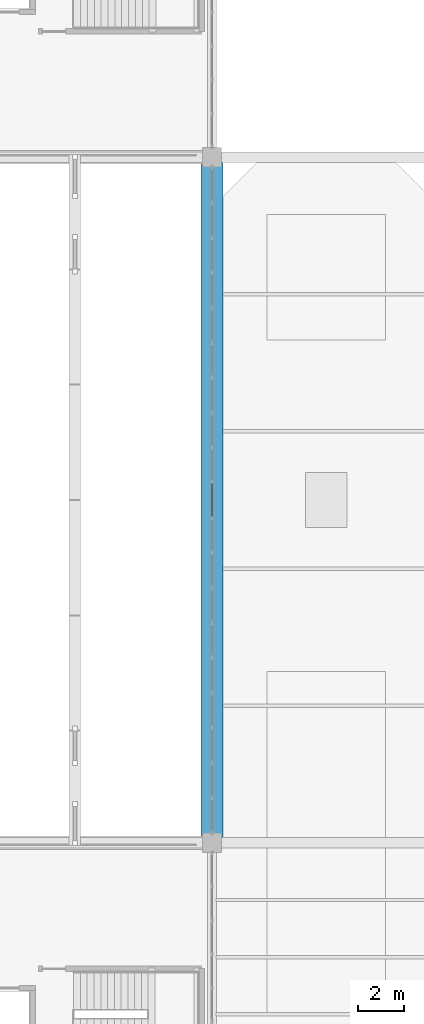
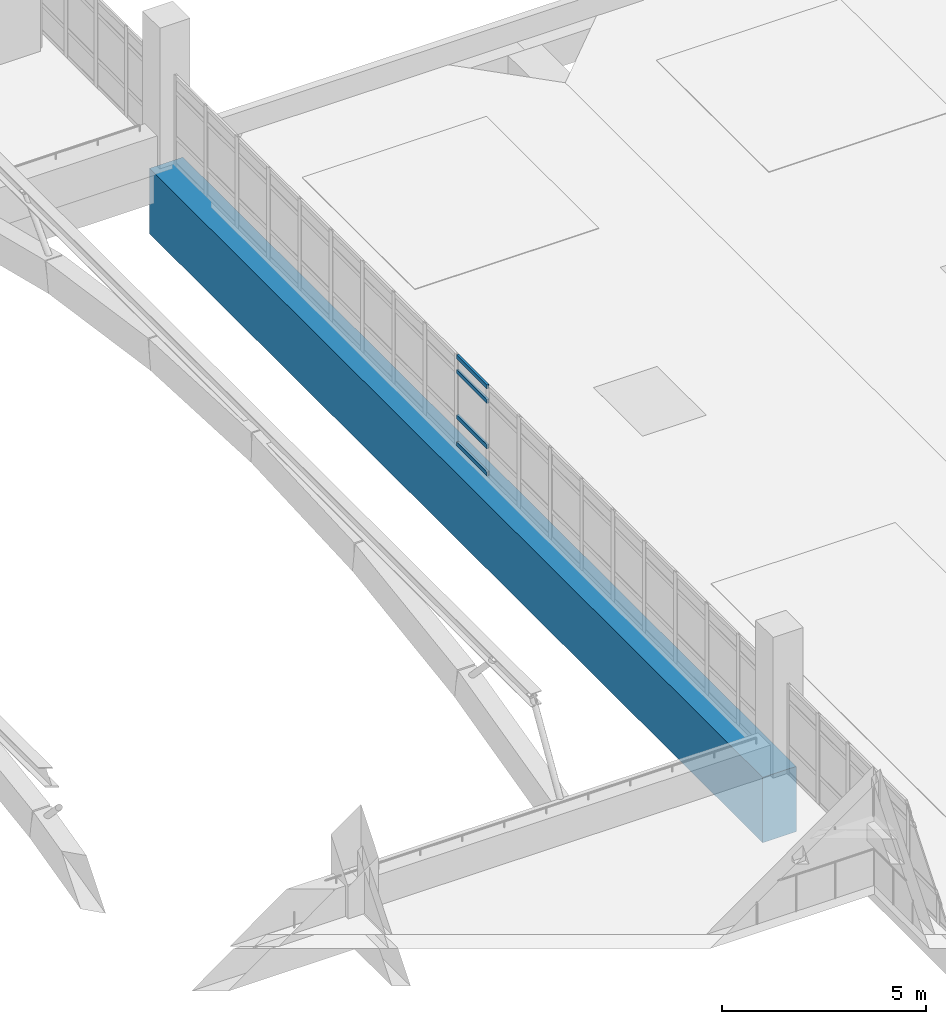
# One storey, part 44 of 161: 4 members, 1 beam, 1 element without a shape of its own.
"""IFC4 building model written with IfcOpenShell, lengths in metres."""

from ifc_helpers import new_model, si_unit, direction, frame, origin, origin_2d, place, context, subcontext, project, spatial, rectangle, hollow_rectangle, extrude, material, layer, layer_set, material_profile, profile_set, type_object, element, aggregate, save


model = new_model("IFC4")

# Units and contexts
model_context = context("Model", 3, precision=1e-05, world=origin(), true_north=direction((0.0, 1.0)))
body_context = subcontext(model_context, "Body", "Model", "MODEL_VIEW")
ifc_project = project(units=[si_unit("LENGTHUNIT", "METRE"), si_unit("AREAUNIT", "SQUARE_METRE"), si_unit("VOLUMEUNIT", "CUBIC_METRE"), si_unit("PLANEANGLEUNIT", "RADIAN"), si_unit("MASSUNIT", "GRAM", prefix="KILO")], contexts=[model_context])

# Site, building, storey
site_placement = place(None, origin())
site = spatial("IfcSite", under=ifc_project, at=site_placement, CompositionType="ELEMENT")
building_placement = place(site_placement, origin())
building = spatial("IfcBuilding", under=site, at=building_placement, Name="Mersad Railyard Sports Hall", CompositionType="ELEMENT")
storey_placement = place(building_placement, frame((0.0, 0.0, 4.800048828125)))
storey = spatial("IfcBuildingStorey", under=building, at=storey_placement, Name="L01", CompositionType="ELEMENT", Elevation=4.800048828125)

# Curtain wall, members
ifc_material_1 = material(Name="Aluminium 6063-T6", Category="aluminium")
ifc_layer = layer(ifc_material_1, 0.159912109375)
ifc_layer_set = layer_set([ifc_layer], Name="Aluminium 6063-T6")
curtain_wall_type = type_object("IfcCurtainWallType", Name="ARC-CW-CW05", PredefinedType="USERDEFINED", material=ifc_layer_set)
curtain_wall_placement = place(storey_placement, origin())
curtain_wall = element("IfcCurtainWall", 1, at=curtain_wall_placement, inside=storey, type_object=curtain_wall_type, Name="Curtain wall CW05-0027", ObjectType="CURTAIN WALL", PredefinedType="USERDEFINED")
ifc_material_profile_1 = material_profile(ifc_material_1, hollow_rectangle(XDim=0.06005859375, YDim=0.1201171875, WallThickness=0.00390625, at=origin_2d()), Name="AL TRANSOM 60x120x4")
ifc_profile_set_1 = profile_set([ifc_material_profile_1], Name="Aluminium 6063-T6")
member_type = type_object("IfcMemberType", Name="ARC-CW-TRN01", PredefinedType="USERDEFINED", material=ifc_profile_set_1)
member_1_placement = place(storey_placement, frame((91.0, 29.24609375, 0.0400390625), z_axis=(0.0, -1.0, 0.0), x_axis=(1.0, 0.0, 0.0)))
member_1 = element("IfcMember", 2, at=member_1_placement, type_object=member_type, Name="CW05 Transom 1-10", ObjectType="TRANSOM", PredefinedType="USERDEFINED", context=body_context, shape_type="SweptSolid", body=[
    extrude(hollow_rectangle(XDim=0.06005859375, YDim=0.1201171875, WallThickness=0.00390625, at=origin_2d()), origin(), (0.0, 0.0, 1.0), 1.4921875),
])
member_2_placement = place(storey_placement, frame((91.0, 29.24609375, 0.849853515625), z_axis=(0.0, -1.0, 0.0), x_axis=(1.0, 0.0, 0.0)))
member_2 = element("IfcMember", 3, at=member_2_placement, type_object=member_type, Name="CW05 Transom 2-10", ObjectType="TRANSOM", PredefinedType="USERDEFINED", context=body_context, shape_type="SweptSolid", body=[
    extrude(hollow_rectangle(XDim=0.06005859375, YDim=0.1201171875, WallThickness=0.00390625, at=origin_2d()), origin(), (0.0, 0.0, 1.0), 1.4921875),
])
member_3_placement = place(storey_placement, frame((91.0, 29.24609375, 2.199951171875), z_axis=(0.0, -1.0, 0.0), x_axis=(1.0, 0.0, 0.0)))
member_3 = element("IfcMember", 4, at=member_3_placement, type_object=member_type, Name="CW05 Transom 3-10", ObjectType="TRANSOM", PredefinedType="USERDEFINED", context=body_context, shape_type="SweptSolid", body=[
    extrude(hollow_rectangle(XDim=0.06005859375, YDim=0.1201171875, WallThickness=0.00390625, at=origin_2d()), origin(), (0.0, 0.0, 1.0), 1.4921875),
])
member_4_placement = place(storey_placement, frame((91.0, 29.24609375, 2.639892578125), z_axis=(0.0, -1.0, 0.0), x_axis=(1.0, 0.0, 0.0)))
member_4 = element("IfcMember", 5, at=member_4_placement, type_object=member_type, Name="CW05 Transom 4-10", ObjectType="TRANSOM", PredefinedType="USERDEFINED", context=body_context, shape_type="SweptSolid", body=[
    extrude(hollow_rectangle(XDim=0.06005859375, YDim=0.1201171875, WallThickness=0.00390625, at=origin_2d()), origin(), (0.0, 0.0, 1.0), 1.4921875),
])
aggregate(curtain_wall, [member_1, member_2, member_3, member_4])

# Beam
ifc_material_2 = material(Name="Post-tensioned concrete C50/60", Category="concrete")
ifc_material_profile_2 = material_profile(ifc_material_2, rectangle(XDim=0.949951171875, YDim=1.949951171875, at=origin_2d()), Name="PT 950x1950")
ifc_profile_set_2 = profile_set([ifc_material_profile_2], Name="Post-tensioned concrete C50/60")
beam_type = type_object("IfcBeamType", Name="STR-BM-TG03", PredefinedType="USERDEFINED", material=ifc_profile_set_2)
beam_placement = place(storey_placement, frame((91.0, 13.5, -1.195068359375), z_axis=(0.0, 1.0, 0.0), x_axis=(-1.0, 0.0, 0.0)))
element("IfcBeam", 6, at=beam_placement, inside=storey, type_object=beam_type, Name="Transfer girder TG03-0584", ObjectType="GIRDER", PredefinedType="USERDEFINED", context=body_context, shape_type="SweptSolid", body=[
    extrude(rectangle(XDim=0.949951171875, YDim=1.949951171875, at=origin_2d()), origin(), (0.0, 0.0, 1.0), 30.0),
])

save(model, "model.ifc")
